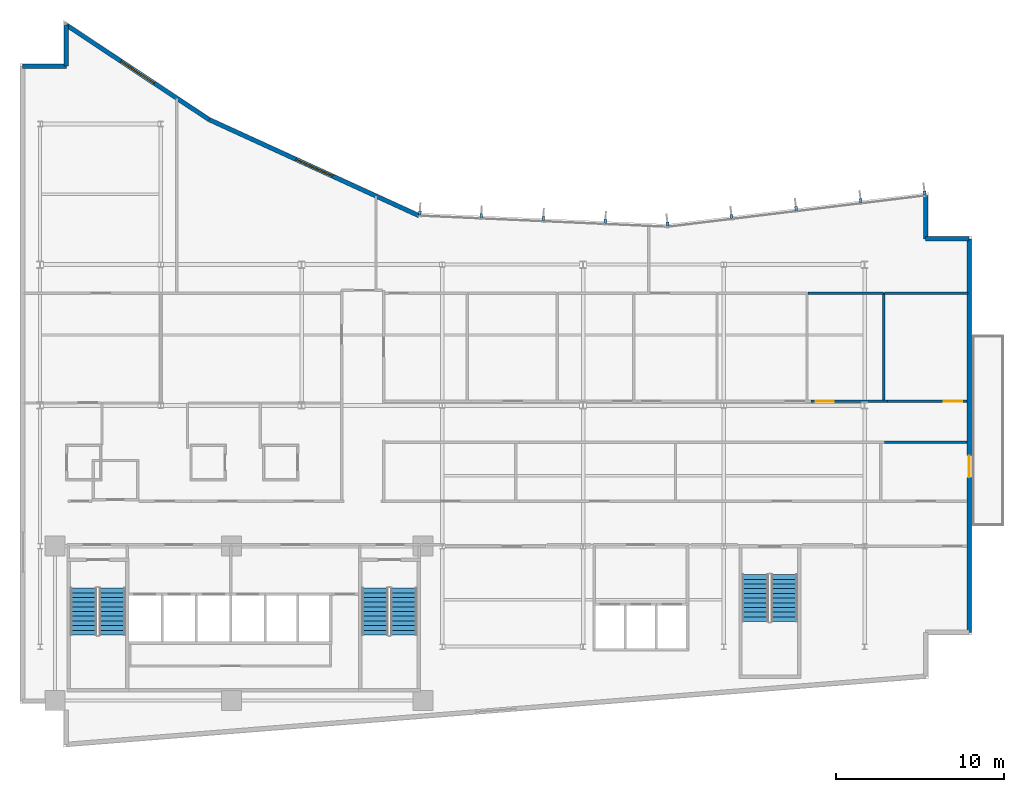
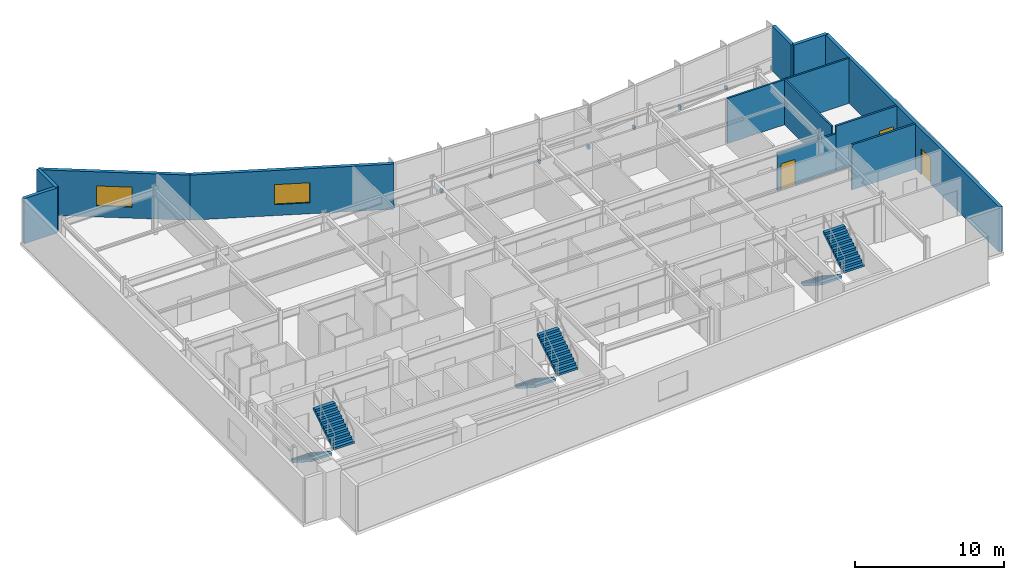
# One storey, part 13 of 18: 13 walls, 9 discrete accessories, 6 stair flights, 3 doors, 2 windows, 5 openings, 3 elements without a shape of their own.
"""IFC4 building model written with IfcOpenShell, lengths in metres."""

import ifcopenshell
import ifcopenshell.guid

model = None  # the IFC model being written
_history = None  # IfcOwnerHistory: only IFC2X3 demands one
_inside = {}  # id of a spatial element -> (the spatial element, [elements in it])
_under = {}  # id of a project, library or spatial element -> (it, [spatial elements below it])
_declared = {}  # id of a project -> (the project, [libraries it declares])
_typed = {}  # id of a type object -> (the type object, [elements of that type])
_made_of = {}  # id of a material, layer set ... -> (it, [elements and type objects made of it])


def new_model(schema):
    """Start an empty IFC model of exactly this schema.

    Asked for "IFC4X3", IfcOpenShell would pick the latest addendum, in which some entities
    have other attributes; the version numbers below select the first issue.
    IFC2X3 requires an IfcOwnerHistory on every rooted entity: one is made here for all.
    """
    global model, _history
    if schema == "IFC4X3":
        model = ifcopenshell.file(schema_version=(4, 3, 0, 0))
    else:
        model = ifcopenshell.file(schema=schema)
    _inside.clear()
    _under.clear()
    _declared.clear()
    _typed.clear()
    _made_of.clear()
    _history = None
    if model.schema == "IFC2X3":
        org = make("IfcOrganization", Name="unknown")
        user = make(
            "IfcPersonAndOrganization",
            ThePerson=make("IfcPerson", FamilyName="unknown"),
            TheOrganization=org,
        )
        app = make(
            "IfcApplication",
            ApplicationDeveloper=org,
            Version="unknown",
            ApplicationFullName="unknown",
            ApplicationIdentifier="unknown",
        )
        _history = make(
            "IfcOwnerHistory",
            OwningUser=user,
            OwningApplication=app,
            ChangeAction="ADDED",
            CreationDate=0,
        )
    return model


def make(cls, **values):
    """One entity of the class cls with the attributes given. An attribute that is None is left unset."""
    return model.create_entity(
        cls, **{name: value for name, value in values.items() if value is not None}
    )


def rooted(cls, **values):
    """An entity with a GlobalId (a new one), such as an element, a storey or a relation."""
    return make(cls, GlobalId=ifcopenshell.guid.new(), OwnerHistory=_history, **values)


def si_unit(unit_type, name, prefix=None):
    """IfcSIUnit, for example si_unit("LENGTHUNIT", "METRE", prefix="MILLI")."""
    return make("IfcSIUnit", UnitType=unit_type, Prefix=prefix, Name=name)


def assignment(units):
    """IfcUnitAssignment: the units of a project."""
    return None if units is None else make("IfcUnitAssignment", Units=units)


def point(xyz):
    """IfcCartesianPoint."""
    return None if xyz is None else make("IfcCartesianPoint", Coordinates=xyz)


def direction(xyz):
    """IfcDirection."""
    return None if xyz is None else make("IfcDirection", DirectionRatios=xyz)


def frame(location, z_axis=None, x_axis=None):
    """IfcAxis2Placement3D, a coordinate frame: its origin and axes. An axis left out is left unset."""
    return make(
        "IfcAxis2Placement3D",
        Location=point(location),
        Axis=direction(z_axis),
        RefDirection=direction(x_axis),
    )


def frame_2d(location, x_axis=None):
    """IfcAxis2Placement2D, a coordinate frame in the plane: its origin and x axis."""
    return make(
        "IfcAxis2Placement2D", Location=point(location), RefDirection=direction(x_axis)
    )


def origin():
    """The frame at (0, 0, 0) with its axes left unset."""
    return frame((0.0, 0.0, 0.0))


def origin_2d():
    """The frame at (0, 0) in the plane with its x axis left unset."""
    return frame_2d((0.0, 0.0))


def place(relative_to, where):
    """IfcLocalPlacement: puts the frame where relative to a parent placement (None: the world)."""
    return make(
        "IfcLocalPlacement", PlacementRelTo=relative_to, RelativePlacement=where
    )


def context(
    kind, dimensions, precision=None, world=None, true_north=None, identifier=None
):
    """IfcGeometricRepresentationContext, for example the 3D "Model" context."""
    return make(
        "IfcGeometricRepresentationContext",
        ContextIdentifier=identifier,
        ContextType=kind,
        CoordinateSpaceDimension=dimensions,
        Precision=precision,
        WorldCoordinateSystem=world,
        TrueNorth=true_north,
    )


def subcontext(parent, identifier, kind, view, scale=None):
    """IfcGeometricRepresentationSubContext, for example "Body" below "Model"."""
    return make(
        "IfcGeometricRepresentationSubContext",
        ContextIdentifier=identifier,
        ContextType=kind,
        ParentContext=parent,
        TargetScale=scale,
        TargetView=view,
    )


def project(units=None, contexts=None):
    """IfcProject with its units and contexts."""
    return rooted(
        "IfcProject",
        Name="project",
        RepresentationContexts=contexts,
        UnitsInContext=assignment(units),
    )


def spatial(cls, under=None, at=None, **own):
    """A site, building, storey or space (cls), placed at a placement, below another one or the project."""
    s = rooted(cls, ObjectPlacement=at, **own)
    if under is not None:
        _under.setdefault(under.id(), (under, []))[1].append(s)
    return s


def polyline(points):
    """IfcPolyline through the points."""
    return make("IfcPolyline", Points=[point(p) for p in points])


def profile(cls, at=None, kind="AREA", **sizes):
    """A parametric profile (cls). Its sizes go by their IFC names, for example OverallWidth=200.0."""
    return make(cls, ProfileType=kind, Position=at, **sizes)


def rectangle(**sizes):
    """IfcRectangleProfileDef."""
    return profile("IfcRectangleProfileDef", **sizes)


def outline(outer, holes=None, kind="AREA"):
    """IfcArbitraryClosedProfileDef: a profile drawn as a closed curve; with holes, ...WithVoids."""
    if holes is None:
        return make("IfcArbitraryClosedProfileDef", ProfileType=kind, OuterCurve=outer)
    return make(
        "IfcArbitraryProfileDefWithVoids",
        ProfileType=kind,
        OuterCurve=outer,
        InnerCurves=holes,
    )


def extrude(swept, where, along, depth):
    """IfcExtrudedAreaSolid: the profile swept, set in the frame where, extruded along a direction by depth."""
    return make(
        "IfcExtrudedAreaSolid",
        SweptArea=swept,
        Position=where,
        ExtrudedDirection=direction(along),
        Depth=depth,
    )


def shape(context_of_items, identifier, shape_type, items):
    """IfcShapeRepresentation: the items that make up one representation, for example the "Body"."""
    return make(
        "IfcShapeRepresentation",
        ContextOfItems=context_of_items,
        RepresentationIdentifier=identifier,
        RepresentationType=shape_type,
        Items=items,
    )


def material(Name=None, Category=None):
    """IfcMaterial."""
    return make("IfcMaterial", Name=Name, Category=Category)


def layer(
    of_material, thickness, ventilated=None, Name=None, Category=None, Priority=None
):
    """IfcMaterialLayer: one layer of a wall or slab, of a material (None: an air gap)."""
    return make(
        "IfcMaterialLayer",
        Material=of_material,
        LayerThickness=thickness,
        IsVentilated=ventilated,
        Name=Name,
        Category=Category,
        Priority=Priority,
    )


def layer_set(layers, Name=None):
    """IfcMaterialLayerSet."""
    return make("IfcMaterialLayerSet", MaterialLayers=layers, LayerSetName=Name)


def made_of(thing, what):
    """Note that an element or type object is made of a material, layer set ...; save() writes the relation."""
    if what is not None:
        _made_of.setdefault(what.id(), (what, []))[1].append(thing)
    return thing


def type_object(cls, material=None, **own):
    """A type object (cls), such as IfcWallType, which elements share."""
    return made_of(rooted(cls, **own), material)


def element(
    cls,
    number,
    at=None,
    inside=None,
    cuts=None,
    type_object=None,
    material=None,
    context=None,
    identifier="Body",
    shape_type=None,
    held_by="IfcProductDefinitionShape",
    body=None,
    shapes=None,
    **own,
):
    """One element of the class cls, such as IfcWall. Its Tag is "e" and its number.

    at: its placement. inside: the storey or other place that contains it. cuts: it is an
    opening in that element (IfcRelVoidsElement). A single representation is given by context,
    identifier, shape_type and body (its items); several are given by shapes. held_by: the class
    of the entity that holds the representations. save() writes the other relations.
    """
    e = rooted(cls, Tag="e%d" % number, ObjectPlacement=at, **own)
    if body is not None:
        shapes = [shape(context, identifier, shape_type, body)]
    if shapes is not None:
        e.Representation = make(held_by, Representations=shapes)
    if inside is not None:
        _inside.setdefault(inside.id(), (inside, []))[1].append(e)
    if cuts is not None:
        rooted(
            "IfcRelVoidsElement", RelatingBuildingElement=cuts, RelatedOpeningElement=e
        )
    if type_object is not None:
        _typed.setdefault(type_object.id(), (type_object, []))[1].append(e)
    return made_of(e, material)


def fill(opening, filler):
    """IfcRelFillsElement: the door or window that sits in an opening."""
    return rooted(
        "IfcRelFillsElement",
        RelatingOpeningElement=opening,
        RelatedBuildingElement=filler,
    )


def aggregate(whole, parts):
    """IfcRelAggregates: a whole, such as a stair, and the parts it consists of."""
    return rooted("IfcRelAggregates", RelatingObject=whole, RelatedObjects=parts)


def save(model, path):
    """Write the relations noted so far, then the file.

    IfcRelAggregates (storeys below a building ...), IfcRelContainedInSpatialStructure (elements
    in a storey), IfcRelDefinesByType, IfcRelAssociatesMaterial and IfcRelDeclares: one each for
    every whole, place, type object, material and project.
    """
    for whole, parts in _under.values():
        aggregate(whole, parts)
    for where, things in _inside.values():
        rooted(
            "IfcRelContainedInSpatialStructure",
            RelatedElements=things,
            RelatingStructure=where,
        )
    for kind, things in _typed.values():
        rooted("IfcRelDefinesByType", RelatedObjects=things, RelatingType=kind)
    for what, things in _made_of.values():
        rooted("IfcRelAssociatesMaterial", RelatedObjects=things, RelatingMaterial=what)
    for by, libraries in _declared.values():
        rooted("IfcRelDeclares", RelatingContext=by, RelatedDefinitions=libraries)
    model.write(path)


model = new_model("IFC4")

# Units and contexts
model_context = context("Model", 3, precision=1e-05, world=origin(), true_north=direction((0.0, 1.0)))
body_context = subcontext(model_context, "Body", "Model", "MODEL_VIEW")
ifc_project = project(units=[si_unit("LENGTHUNIT", "METRE"), si_unit("AREAUNIT", "SQUARE_METRE"), si_unit("VOLUMEUNIT", "CUBIC_METRE"), si_unit("PLANEANGLEUNIT", "RADIAN"), si_unit("MASSUNIT", "GRAM", prefix="KILO")], contexts=[model_context])

# Site, building, storey
site_placement = place(None, origin())
site = spatial("IfcSite", under=ifc_project, at=site_placement, CompositionType="ELEMENT")
building_placement = place(site_placement, origin())
building = spatial("IfcBuilding", under=site, at=building_placement, Name="Varnakote Quay Hospital", CompositionType="ELEMENT")
storey_placement = place(building_placement, frame((0.0, 0.0, 154.699951171875)))
storey = spatial("IfcBuildingStorey", under=building, at=storey_placement, Name="L38", CompositionType="ELEMENT", Elevation=154.699951171875)

# Wall, opening, door
ifc_material_1 = material(Name="Precast concrete N50 (f'c 50 MPa)", Category="concrete")
ifc_layer_1 = layer(ifc_material_1, 0.260009765625)
ifc_layer_set_1 = layer_set([ifc_layer_1], Name="Precast concrete N50 (f'c 50 MPa)")
wall_type_1 = type_object("IfcWallType", Name="WL-EXT-BRICK-260", PredefinedType="STANDARD", material=ifc_layer_set_1)
wall_1_placement = place(storey_placement, frame((56.639892578125, 6.860107421875, 0.0), z_axis=(0.0, 0.0, 1.0), x_axis=(0.0, 1.0, 0.0)))
wall_1 = element("IfcWall", 1, at=wall_1_placement, inside=storey, type_object=wall_type_1, Name="L38 Healing Terrace Portal Brick Wall", PredefinedType="STANDARD", context=body_context, shape_type="SweptSolid", body=[
    extrude(rectangle(XDim=23.47998046875, YDim=0.260009765625, at=frame_2d((11.739990234375, 0.0))), origin(), (0.0, 0.0, 1.0), 3.7099609375),
])
opening_1_placement = place(wall_1_placement, frame((9.239990234375, 0.0, 0.0)))
opening_1 = element("IfcOpeningElement", 2, at=opening_1_placement, cuts=wall_1, Name="Opening DT-L38", PredefinedType="OPENING", context=body_context, shape_type="SweptSolid", body=[
    extrude(rectangle(XDim=1.300048828125, YDim=2.14990234375, at=frame_2d((0.64990234375, 1.074951171875))), frame((0.0, 0.139892578125, 0.0), z_axis=(0.0, -1.0, 0.0), x_axis=(1.0, 0.0, 0.0)), (0.0, 0.0, 1.0), 0.280029296875),
])
ifc_material_2 = material(Name="Anodised aluminium glazed terrace door", Category="aluminium")
door_type_1 = type_object("IfcDoorType", Name="DR-EXT-TERR-1300x2150", OperationType="NOTDEFINED", PredefinedType="DOOR", material=ifc_material_2)
door_1_placement = place(opening_1_placement, origin())
door_1 = element("IfcDoor", 3, at=door_1_placement, inside=storey, type_object=door_type_1, Name="L38 Waterfront Healing Terrace Door", OperationType="SINGLE_SWING_LEFT", OverallHeight=2.14990234375, OverallWidth=1.300048828125, PredefinedType="DOOR", context=body_context, shape_type="SweptSolid", body=[
    extrude(rectangle(XDim=1.300048828125, YDim=2.14990234375, at=frame_2d((0.64990234375, 1.074951171875))), frame((0.0, 0.02490234375, 0.0), z_axis=(0.0, -1.0, 0.0), x_axis=(1.0, 0.0, 0.0)), (0.0, 0.0, 1.0), 0.050048828125),
])
fill(opening_1, door_1)

# Walls
wall_2_placement = place(storey_placement, frame((56.639892578125, 30.340087890625, 0.0), z_axis=(0.0, 0.0, 1.0), x_axis=(-1.0, 0.0, 0.0)))
element("IfcWall", 4, at=wall_2_placement, inside=storey, type_object=wall_type_1, Name="L38 Brick-Faced Precast Exterior Wall", PredefinedType="STANDARD", context=body_context, shape_type="SweptSolid", body=[
    extrude(rectangle(XDim=2.599853515625, YDim=0.260009765625, at=frame_2d((1.2998046875, 0.0))), origin(), (0.0, 0.0, 1.0), 3.7099609375),
])
wall_3_placement = place(storey_placement, frame((54.0400390625, 30.340087890625, 0.0), z_axis=(0.0, 0.0, 1.0), x_axis=(0.0, 1.0, 0.0)))
element("IfcWall", 5, at=wall_3_placement, inside=storey, type_object=wall_type_1, Name="L38 Brick-Faced Precast Exterior Wall", PredefinedType="STANDARD", context=body_context, shape_type="SweptSolid", body=[
    extrude(rectangle(XDim=2.579345703125, YDim=0.260009765625, at=frame_2d((1.28955078125, 0.0))), origin(), (0.0, 0.0, 1.0), 3.7099609375),
])

# Wall, opening, window
wall_4_placement = place(storey_placement, frame((23.817626953125, 31.715576171875, 0.0), z_axis=(0.0, 0.0, 1.0), x_axis=(-0.909209527513, 0.416338846471, 0.0)))
wall_4 = element("IfcWall", 6, at=wall_4_placement, inside=storey, type_object=wall_type_1, Name="L38 Brick-Faced Precast Exterior Wall", PredefinedType="STANDARD", context=body_context, shape_type="SweptSolid", body=[
    extrude(rectangle(XDim=13.787353515625, YDim=0.260009765625, at=frame_2d((6.8935546875, 0.0))), origin(), (0.0, 0.0, 1.0), 3.7099609375),
])
opening_2_placement = place(wall_4_placement, frame((5.693603515625, 0.0, 0.89990234375)))
opening_2 = element("IfcOpeningElement", 7, at=opening_2_placement, cuts=wall_4, Name="Opening WN-0163", PredefinedType="OPENING", context=body_context, shape_type="SweptSolid", body=[
    extrude(rectangle(XDim=2.39990234375, YDim=1.64990234375, at=frame_2d((1.199951171875, 0.824951171875))), frame((0.0, 0.139892578125, 0.0), z_axis=(0.0, -1.0, 0.0), x_axis=(1.0, 0.0, 0.0)), (0.0, 0.0, 1.0), 0.280029296875),
])
ifc_material_3 = material(Name="Double-glazed low-E solar glass", Category="glass")
window_type = type_object("IfcWindowType", Name="WIN-CLIN-2400x1650", PartitioningType="SINGLE_PANEL", PredefinedType="WINDOW", material=ifc_material_3)
window_1_placement = place(opening_2_placement, origin())
window_1 = element("IfcWindow", 8, at=window_1_placement, inside=storey, type_object=window_type, Name="L38 Solar-Control Clinical Window", OverallHeight=1.64990234375, OverallWidth=2.39990234375, PartitioningType="SINGLE_PANEL", PredefinedType="WINDOW", context=body_context, shape_type="SweptSolid", body=[
    extrude(rectangle(XDim=2.39990234375, YDim=1.64990234375, at=frame_2d((1.199951171875, 0.824951171875))), frame((0.0, 0.030029296875, 0.0), z_axis=(0.0, -1.0, 0.0), x_axis=(1.0, 0.0, 0.0)), (0.0, 0.0, 1.0), 0.06005859375),
])
fill(opening_2, window_1)

wall_5_placement = place(storey_placement, frame((11.281982421875, 37.455810546875, 0.0), z_axis=(0.0, 0.0, 1.0), x_axis=(-0.833630474253, 0.552322580017, 0.0)))
wall_5 = element("IfcWall", 9, at=wall_5_placement, inside=storey, type_object=wall_type_1, Name="L38 Brick-Faced Precast Exterior Wall", PredefinedType="STANDARD", context=body_context, shape_type="SweptSolid", body=[
    extrude(rectangle(XDim=10.22265625, YDim=0.260009765625, at=frame_2d((5.111328125, 0.0))), origin(), (0.0, 0.0, 1.0), 3.7099609375),
])
opening_3_placement = place(wall_5_placement, frame((3.911376953125, 0.0, 0.89990234375)))
opening_3 = element("IfcOpeningElement", 10, at=opening_3_placement, cuts=wall_5, Name="Opening WN-0164", PredefinedType="OPENING", context=body_context, shape_type="SweptSolid", body=[
    extrude(rectangle(XDim=2.39990234375, YDim=1.64990234375, at=frame_2d((1.199951171875, 0.824951171875))), frame((0.0, 0.139892578125, 0.0), z_axis=(0.0, -1.0, 0.0), x_axis=(1.0, 0.0, 0.0)), (0.0, 0.0, 1.0), 0.280029296875),
])
window_2_placement = place(opening_3_placement, origin())
window_2 = element("IfcWindow", 11, at=window_2_placement, inside=storey, type_object=window_type, Name="L38 Solar-Control Clinical Window", OverallHeight=1.64990234375, OverallWidth=2.39990234375, PartitioningType="SINGLE_PANEL", PredefinedType="WINDOW", context=body_context, shape_type="SweptSolid", body=[
    extrude(rectangle(XDim=2.39990234375, YDim=1.64990234375, at=frame_2d((1.199951171875, 0.824951171875))), frame((0.0, 0.030029296875, 0.0), z_axis=(0.0, -1.0, 0.0), x_axis=(1.0, 0.0, 0.0)), (0.0, 0.0, 1.0), 0.06005859375),
])
fill(opening_3, window_2)

# Walls
wall_6_placement = place(storey_placement, frame((2.760009765625, 43.10205078125, 0.0), z_axis=(0.0, 0.0, 1.0), x_axis=(0.0, -1.0, 0.0)))
element("IfcWall", 12, at=wall_6_placement, inside=storey, type_object=wall_type_1, Name="L38 Brick-Faced Precast Exterior Wall", PredefinedType="STANDARD", context=body_context, shape_type="SweptSolid", body=[
    extrude(rectangle(XDim=2.462158203125, YDim=0.260009765625, at=frame_2d((1.23095703125, 0.0))), origin(), (0.0, 0.0, 1.0), 3.7099609375),
])
wall_7_placement = place(storey_placement, frame((2.760009765625, 40.639892578125, 0.0), z_axis=(0.0, 0.0, 1.0), x_axis=(-1.0, 0.0, 0.0)))
element("IfcWall", 13, at=wall_7_placement, inside=storey, type_object=wall_type_1, Name="L38 Brick-Faced Precast Exterior Wall", PredefinedType="STANDARD", context=body_context, shape_type="SweptSolid", body=[
    extrude(rectangle(XDim=2.60009765625, YDim=0.260009765625, at=frame_2d((1.300048828125, 0.0))), origin(), (0.0, 0.0, 1.0), 3.7099609375),
])
ifc_material_4 = material(Name="Smoke-proof clinical partition", Category="gypsum")
ifc_layer_2 = layer(ifc_material_4, 0.135009765625)
ifc_layer_set_2 = layer_set([ifc_layer_2], Name="Smoke-proof clinical partition")
wall_type_2 = type_object("IfcWallType", Name="WL-SMOKE-135", PredefinedType="PARTITIONING", material=ifc_layer_set_2)
wall_8_placement = place(storey_placement, frame((51.5400390625, 20.715087890625, 0.0), z_axis=(0.0, 0.0, 1.0), x_axis=(0.0, 1.0, 0.0)))
element("IfcWall", 14, at=wall_8_placement, inside=storey, type_object=wall_type_2, Name="L38 Clinical Interior Partition", PredefinedType="PARTITIONING", context=body_context, shape_type="SweptSolid", body=[
    extrude(rectangle(XDim=6.385009765625, YDim=0.135009765625, at=frame_2d((3.1923828125, 0.0))), origin(), (0.0, 0.0, 1.0), 3.7099609375),
])
wall_9_placement = place(storey_placement, frame((51.5400390625, 27.10009765625, 0.0), z_axis=(0.0, 0.0, 1.0), x_axis=(-1.0, 0.0, 0.0)))
element("IfcWall", 15, at=wall_9_placement, inside=storey, type_object=wall_type_2, Name="L38 Clinical Interior Partition", PredefinedType="PARTITIONING", context=body_context, shape_type="SweptSolid", body=[
    extrude(rectangle(XDim=4.512451171875, YDim=0.135009765625, at=frame_2d((2.25634765625, 0.0))), origin(), (0.0, 0.0, 1.0), 3.7099609375),
])
wall_10_placement = place(storey_placement, frame((56.56005859375, 27.10009765625, 0.0), z_axis=(0.0, 0.0, 1.0), x_axis=(-1.0, 0.0, 0.0)))
element("IfcWall", 16, at=wall_10_placement, inside=storey, type_object=wall_type_2, Name="L38 Clinical Interior Partition", PredefinedType="PARTITIONING", context=body_context, shape_type="SweptSolid", body=[
    extrude(rectangle(XDim=4.962646484375, YDim=0.135009765625, at=frame_2d((2.4814453125, 0.0))), origin(), (0.0, 0.0, 1.0), 3.7099609375),
])
ifc_material_5 = material(Name="Fire-rated clinical gypsum partition", Category="gypsum")
ifc_layer_3 = layer(ifc_material_5, 0.14990234375)
ifc_layer_set_3 = layer_set([ifc_layer_3], Name="Fire-rated clinical gypsum partition")
wall_type_3 = type_object("IfcWallType", Name="WL-WARD-150", PredefinedType="PARTITIONING", material=ifc_layer_set_3)
wall_11_placement = place(storey_placement, frame((51.587890625, 18.199951171875, 0.0), z_axis=(0.0, 0.0, 1.0), x_axis=(1.0, 0.0, 0.0)))
element("IfcWall", 17, at=wall_11_placement, inside=storey, type_object=wall_type_3, Name="L38 Clinical Interior Partition", PredefinedType="PARTITIONING", context=body_context, shape_type="SweptSolid", body=[
    extrude(rectangle(XDim=4.93212890625, YDim=0.14990234375, at=frame_2d((2.466064453125, 0.0))), origin(), (0.0, 0.0, 1.0), 3.7099609375),
])

# Wall, opening, door
wall_12_placement = place(storey_placement, frame((51.76611328125, 20.64990234375, 0.0), z_axis=(0.0, 0.0, 1.0), x_axis=(-1.0, 0.0, 0.0)))
wall_12 = element("IfcWall", 18, at=wall_12_placement, inside=storey, type_object=wall_type_3, Name="L38 Clinical Interior Partition", PredefinedType="PARTITIONING", context=body_context, shape_type="SweptSolid", body=[
    extrude(rectangle(XDim=4.568115234375, YDim=0.14990234375, at=frame_2d((2.2841796875, 0.0))), origin(), (0.0, 0.0, 1.0), 3.0830078125),
])
opening_4_placement = place(wall_12_placement, frame((3.19140625, 0.0, 0.0)))
opening_4 = element("IfcOpeningElement", 19, at=opening_4_placement, cuts=wall_12, Name="Opening D-L38-MD13", PredefinedType="OPENING", context=body_context, shape_type="SweptSolid", body=[
    extrude(rectangle(XDim=1.10009765625, YDim=2.10009765625, at=frame_2d((0.550048828125, 1.050048828125))), frame((0.0, 0.0849609375, 0.0), z_axis=(0.0, -1.0, 0.0), x_axis=(1.0, 0.0, 0.0)), (0.0, 0.0, 1.0), 0.169921875),
])
ifc_material_6 = material(Name="Acoustic timber clinical consult door", Category="wood")
door_type_2 = type_object("IfcDoorType", Name="DR-CLIN-FD30S-1100x2100", OperationType="NOTDEFINED", PredefinedType="DOOR", material=ifc_material_6)
door_2_placement = place(opening_4_placement, origin())
door_2 = element("IfcDoor", 20, at=door_2_placement, inside=storey, type_object=door_type_2, Name="L38 Ward Clinical Consultation Office Door", OperationType="SINGLE_SWING_RIGHT", OverallHeight=2.10009765625, OverallWidth=1.10009765625, PredefinedType="DOOR", context=body_context, shape_type="SweptSolid", body=[
    extrude(rectangle(XDim=1.10009765625, YDim=2.10009765625, at=frame_2d((0.550048828125, 1.050048828125))), frame((0.0, 0.02490234375, 0.0), z_axis=(0.0, -1.0, 0.0), x_axis=(1.0, 0.0, 0.0)), (0.0, 0.0, 1.0), 0.050048828125),
])
fill(opening_4, door_2)

wall_13_placement = place(storey_placement, frame((56.52001953125, 20.64990234375, 0.0), z_axis=(0.0, 0.0, 1.0), x_axis=(-1.0, 0.0, 0.0)))
wall_13 = element("IfcWall", 21, at=wall_13_placement, inside=storey, type_object=wall_type_3, Name="L38 Clinical Interior Partition", PredefinedType="PARTITIONING", context=body_context, shape_type="SweptSolid", body=[
    extrude(rectangle(XDim=4.751953125, YDim=0.14990234375, at=frame_2d((2.3759765625, 0.0))), origin(), (0.0, 0.0, 1.0), 3.7099609375),
])
opening_5_placement = place(wall_13_placement, frame((0.28125, 0.0, 0.0)))
opening_5 = element("IfcOpeningElement", 22, at=opening_5_placement, cuts=wall_13, Name="Opening D-L38-DLNG", PredefinedType="OPENING", context=body_context, shape_type="SweptSolid", body=[
    extrude(rectangle(XDim=1.10009765625, YDim=2.10009765625, at=frame_2d((0.550048828125, 1.050048828125))), frame((0.0, 0.0849609375, 0.0), z_axis=(0.0, -1.0, 0.0), x_axis=(1.0, 0.0, 0.0)), (0.0, 0.0, 1.0), 0.169921875),
])
door_3_placement = place(opening_5_placement, origin())
door_3 = element("IfcDoor", 23, at=door_3_placement, inside=storey, type_object=door_type_2, Name="L38 Waterfront Patient & Family Dayroom Door", OperationType="SINGLE_SWING_LEFT", OverallHeight=2.10009765625, OverallWidth=1.10009765625, PredefinedType="DOOR", context=body_context, shape_type="SweptSolid", body=[
    extrude(rectangle(XDim=1.10009765625, YDim=2.10009765625, at=frame_2d((0.550048828125, 1.050048828125))), frame((0.0, 0.02490234375, 0.0), z_axis=(0.0, -1.0, 0.0), x_axis=(1.0, 0.0, 0.0)), (0.0, 0.0, 1.0), 0.050048828125),
])
fill(opening_5, door_3)

# Stair, stair flights
ifc_material_7 = material(Name="Concrete N40 (f'c 40 MPa)", Category="concrete")
stair_type = type_object("IfcStairType", Name="STR-CORE-1580", PredefinedType="HALF_TURN_STAIR", material=ifc_material_7)
stair_1_placement = place(storey_placement, origin())
stair_1 = element("IfcStair", 24, at=stair_1_placement, inside=storey, type_object=stair_type, Name="L38 Fire-Isolated Exit Stair ST-01", PredefinedType="HALF_TURN_STAIR")
ifc_material_8 = material(Name="Concrete N40 (f'c 40 MPa)", Category="concrete")
ifc_layer_4 = layer(ifc_material_8, 0.159912109375)
ifc_layer_set_4 = layer_set([ifc_layer_4], Name="Concrete N40 (f'c 40 MPa)")
stair_flight_type = type_object("IfcStairFlightType", Name="FLT-CORE-1580", PredefinedType="STRAIGHT", material=ifc_layer_set_4)
stair_flight_1_placement = place(storey_placement, frame((3.7900390625, 9.5, 0.0), z_axis=(0.0, 0.0, 1.0), x_axis=(0.0, -1.0, 0.0)))
stair_flight_1 = element("IfcStairFlight", 25, at=stair_flight_1_placement, type_object=stair_flight_type, Name="ST-01 flight 1", NumberOfRisers=11, NumberOfTreads=10, PredefinedType="STRAIGHT", RiserHeight=0.179545455, TreadLength=0.28, context=body_context, shape_type="SweptSolid", body=[
    extrude(outline(polyline([(0.0, 0.0), (0.0, 0.179443359375), (0.280029296875, 0.179443359375), (0.280029296875, 0.359130859375), (0.56005859375, 0.359130859375), (0.56005859375, 0.53857421875), (0.840087890625, 0.53857421875), (0.840087890625, 0.71826171875), (1.1201171875, 0.71826171875), (1.1201171875, 0.897705078125), (1.39990234375, 0.897705078125), (1.39990234375, 1.077392578125), (1.679931640625, 1.077392578125), (1.679931640625, 1.2568359375), (1.9599609375, 1.2568359375), (1.9599609375, 1.436279296875), (2.239990234375, 1.436279296875), (2.239990234375, 1.615966796875), (2.52001953125, 1.615966796875), (2.52001953125, 1.79541015625), (2.800048828125, 1.79541015625), (2.800048828125, 1.97509765625), (2.800048828125, 1.60546875), (0.296142578125, 0.0), (0.0, 0.0)])), frame((0.0, 0.7900390625, 0.0), z_axis=(0.0, -1.0, 0.0), x_axis=(1.0, 0.0, 0.0)), (0.0, 0.0, 1.0), 1.580078125),
])
stair_flight_2_placement = place(storey_placement, frame((5.510009765625, 6.699951171875, 1.97509765625), z_axis=(0.0, 0.0, 1.0), x_axis=(0.0, 1.0, 0.0)))
stair_flight_2 = element("IfcStairFlight", 26, at=stair_flight_2_placement, type_object=stair_flight_type, Name="ST-01 flight 2", NumberOfRisers=11, NumberOfTreads=10, PredefinedType="STRAIGHT", RiserHeight=0.179545455, TreadLength=0.28, context=body_context, shape_type="SweptSolid", body=[
    extrude(outline(polyline([(0.0, 0.0), (0.0, 0.179443359375), (0.280029296875, 0.179443359375), (0.280029296875, 0.359130859375), (0.56005859375, 0.359130859375), (0.56005859375, 0.53857421875), (0.840087890625, 0.53857421875), (0.840087890625, 0.71826171875), (1.1201171875, 0.71826171875), (1.1201171875, 0.897705078125), (1.39990234375, 0.897705078125), (1.39990234375, 1.077392578125), (1.679931640625, 1.077392578125), (1.679931640625, 1.2568359375), (1.9599609375, 1.2568359375), (1.9599609375, 1.436279296875), (2.239990234375, 1.436279296875), (2.239990234375, 1.615966796875), (2.52001953125, 1.615966796875), (2.52001953125, 1.79541015625), (2.800048828125, 1.79541015625), (2.800048828125, 1.97509765625), (2.800048828125, 1.60546875), (0.296142578125, 0.0), (0.0, 0.0)])), frame((0.0, 0.7900390625, 0.0), z_axis=(0.0, -1.0, 0.0), x_axis=(1.0, 0.0, 0.0)), (0.0, 0.0, 1.0), 1.580078125),
])
aggregate(stair_1, [stair_flight_1, stair_flight_2])

stair_2_placement = place(storey_placement, origin())
stair_2 = element("IfcStair", 27, at=stair_2_placement, inside=storey, type_object=stair_type, Name="L38 Fire-Isolated Exit Stair ST-02", PredefinedType="HALF_TURN_STAIR")
stair_flight_3_placement = place(storey_placement, frame((21.18994140625, 9.5, 0.0), z_axis=(0.0, 0.0, 1.0), x_axis=(0.0, -1.0, 0.0)))
stair_flight_3 = element("IfcStairFlight", 28, at=stair_flight_3_placement, type_object=stair_flight_type, Name="ST-02 flight 1", NumberOfRisers=11, NumberOfTreads=10, PredefinedType="STRAIGHT", RiserHeight=0.179545455, TreadLength=0.28, context=body_context, shape_type="SweptSolid", body=[
    extrude(outline(polyline([(0.0, 0.0), (0.0, 0.179443359375), (0.280029296875, 0.179443359375), (0.280029296875, 0.359130859375), (0.56005859375, 0.359130859375), (0.56005859375, 0.53857421875), (0.840087890625, 0.53857421875), (0.840087890625, 0.71826171875), (1.1201171875, 0.71826171875), (1.1201171875, 0.897705078125), (1.39990234375, 0.897705078125), (1.39990234375, 1.077392578125), (1.679931640625, 1.077392578125), (1.679931640625, 1.2568359375), (1.9599609375, 1.2568359375), (1.9599609375, 1.436279296875), (2.239990234375, 1.436279296875), (2.239990234375, 1.615966796875), (2.52001953125, 1.615966796875), (2.52001953125, 1.79541015625), (2.800048828125, 1.79541015625), (2.800048828125, 1.97509765625), (2.800048828125, 1.60546875), (0.296142578125, 0.0), (0.0, 0.0)])), frame((0.0, 0.7900390625, 0.0), z_axis=(0.0, -1.0, 0.0), x_axis=(1.0, 0.0, 0.0)), (0.0, 0.0, 1.0), 1.580078125),
])
stair_flight_4_placement = place(storey_placement, frame((22.909912109375, 6.699951171875, 1.97509765625), z_axis=(0.0, 0.0, 1.0), x_axis=(0.0, 1.0, 0.0)))
stair_flight_4 = element("IfcStairFlight", 29, at=stair_flight_4_placement, type_object=stair_flight_type, Name="ST-02 flight 2", NumberOfRisers=11, NumberOfTreads=10, PredefinedType="STRAIGHT", RiserHeight=0.179545455, TreadLength=0.28, context=body_context, shape_type="SweptSolid", body=[
    extrude(outline(polyline([(0.0, 0.0), (0.0, 0.179443359375), (0.280029296875, 0.179443359375), (0.280029296875, 0.359130859375), (0.56005859375, 0.359130859375), (0.56005859375, 0.53857421875), (0.840087890625, 0.53857421875), (0.840087890625, 0.71826171875), (1.1201171875, 0.71826171875), (1.1201171875, 0.897705078125), (1.39990234375, 0.897705078125), (1.39990234375, 1.077392578125), (1.679931640625, 1.077392578125), (1.679931640625, 1.2568359375), (1.9599609375, 1.2568359375), (1.9599609375, 1.436279296875), (2.239990234375, 1.436279296875), (2.239990234375, 1.615966796875), (2.52001953125, 1.615966796875), (2.52001953125, 1.79541015625), (2.800048828125, 1.79541015625), (2.800048828125, 1.97509765625), (2.800048828125, 1.60546875), (0.296142578125, 0.0), (0.0, 0.0)])), frame((0.0, 0.7900390625, 0.0), z_axis=(0.0, -1.0, 0.0), x_axis=(1.0, 0.0, 0.0)), (0.0, 0.0, 1.0), 1.580078125),
])
aggregate(stair_2, [stair_flight_3, stair_flight_4])

stair_3_placement = place(storey_placement, origin())
stair_3 = element("IfcStair", 30, at=stair_3_placement, inside=storey, type_object=stair_type, Name="L38 Fire-Isolated Exit Stair ST-03", PredefinedType="HALF_TURN_STAIR")
stair_flight_5_placement = place(storey_placement, frame((43.889892578125, 10.300048828125, 0.0), z_axis=(0.0, 0.0, 1.0), x_axis=(0.0, -1.0, 0.0)))
stair_flight_5 = element("IfcStairFlight", 31, at=stair_flight_5_placement, type_object=stair_flight_type, Name="ST-03 flight 1", NumberOfRisers=11, NumberOfTreads=10, PredefinedType="STRAIGHT", RiserHeight=0.179545455, TreadLength=0.28, context=body_context, shape_type="SweptSolid", body=[
    extrude(outline(polyline([(0.0, 0.0), (0.0, 0.179443359375), (0.280029296875, 0.179443359375), (0.280029296875, 0.359130859375), (0.56005859375, 0.359130859375), (0.56005859375, 0.53857421875), (0.840087890625, 0.53857421875), (0.840087890625, 0.71826171875), (1.1201171875, 0.71826171875), (1.1201171875, 0.897705078125), (1.39990234375, 0.897705078125), (1.39990234375, 1.077392578125), (1.679931640625, 1.077392578125), (1.679931640625, 1.2568359375), (1.9599609375, 1.2568359375), (1.9599609375, 1.436279296875), (2.239990234375, 1.436279296875), (2.239990234375, 1.615966796875), (2.52001953125, 1.615966796875), (2.52001953125, 1.79541015625), (2.800048828125, 1.79541015625), (2.800048828125, 1.97509765625), (2.800048828125, 1.60546875), (0.296142578125, 0.0), (0.0, 0.0)])), frame((0.0, 0.7900390625, 0.0), z_axis=(0.0, -1.0, 0.0), x_axis=(1.0, 0.0, 0.0)), (0.0, 0.0, 1.0), 1.580078125),
])
stair_flight_6_placement = place(storey_placement, frame((45.610107421875, 7.5, 1.97509765625), z_axis=(0.0, 0.0, 1.0), x_axis=(0.0, 1.0, 0.0)))
stair_flight_6 = element("IfcStairFlight", 32, at=stair_flight_6_placement, type_object=stair_flight_type, Name="ST-03 flight 2", NumberOfRisers=11, NumberOfTreads=10, PredefinedType="STRAIGHT", RiserHeight=0.179545455, TreadLength=0.28, context=body_context, shape_type="SweptSolid", body=[
    extrude(outline(polyline([(0.0, 0.0), (0.0, 0.179443359375), (0.280029296875, 0.179443359375), (0.280029296875, 0.359130859375), (0.56005859375, 0.359130859375), (0.56005859375, 0.53857421875), (0.840087890625, 0.53857421875), (0.840087890625, 0.71826171875), (1.1201171875, 0.71826171875), (1.1201171875, 0.897705078125), (1.39990234375, 0.897705078125), (1.39990234375, 1.077392578125), (1.679931640625, 1.077392578125), (1.679931640625, 1.2568359375), (1.9599609375, 1.2568359375), (1.9599609375, 1.436279296875), (2.239990234375, 1.436279296875), (2.239990234375, 1.615966796875), (2.52001953125, 1.615966796875), (2.52001953125, 1.79541015625), (2.800048828125, 1.79541015625), (2.800048828125, 1.97509765625), (2.800048828125, 1.60546875), (0.296142578125, 0.0), (0.0, 0.0)])), frame((0.0, 0.7900390625, 0.0), z_axis=(0.0, -1.0, 0.0), x_axis=(1.0, 0.0, 0.0)), (0.0, 0.0, 1.0), 1.580078125),
])
aggregate(stair_3, [stair_flight_5, stair_flight_6])

# Discrete accessories
ifc_material_9 = material(Name="Anodised aluminium 6063-T6 Bronze", Category="aluminium")
discrete_accessory_type = type_object("IfcDiscreteAccessoryType", Name="ACC-FIN-BRACKET-180", PredefinedType="BRACKET", material=ifc_material_9)
for number, where, z_axis, x_axis, name in (
    (33, (53.982421875, 33.083740234375, 0.0), (0.0, 0.0, 1.0), (-0.992736358975, -0.120310105847, 0.0), "L38 Curtain Wall Fin Fixing Bracket"),
    (34, (50.1669921875, 32.62109375, 0.0), (0.0, 0.0, 1.0), (-0.992736358975, -0.120310105847, 0.0), "L38 Curtain Wall Fin Fixing Bracket"),
    (35, (46.314697265625, 32.154296875, 0.0), (0.0, 0.0, 1.0), (-0.992736358975, -0.120310105847, 0.0), "L38 Curtain Wall Fin Fixing Bracket"),
    (36, (42.462158203125, 31.687255859375, 0.0), (0.0, 0.0, 1.0), (-0.992736358975, -0.120310105847, 0.0), "L38 Curtain Wall Fin Fixing Bracket"),
    (37, (38.64697265625, 31.224853515625, 0.0), (0.0, 0.0, 1.0), (-0.992736358975, -0.120310105847, 0.0), "L38 Curtain Wall Fin Fixing Bracket"),
    (38, (34.9345703125, 31.387451171875, 0.0), (0.0, 0.0, 1.0), (-0.998994184858, 0.044839922168, 0.0), "L38 Curtain Wall Fin Fixing Bracket"),
    (39, (31.2314453125, 31.553466796875, 0.0), (0.0, 0.0, 1.0), (-0.998994184858, 0.044839922168, 0.0), "L38 Curtain Wall Fin Fixing Bracket"),
    (40, (27.5283203125, 31.719482421875, 0.0), (0.0, 0.0, 1.0), (-0.998994184858, 0.044839922168, 0.0), "L38 Curtain Wall Fin Fixing Bracket"),
    (41, (23.86279296875, 31.8837890625, 0.0), (0.0, 0.0, 1.0), (-0.998994184858, 0.044839922168, 0.0), "L38 Curtain Wall Fin Fixing Bracket"),
):
    element("IfcDiscreteAccessory", number, at=place(storey_placement, frame(where, z_axis=z_axis, x_axis=x_axis)), inside=storey, type_object=discrete_accessory_type, Name=name, PredefinedType="BRACKET", context=body_context, shape_type="SweptSolid", body=[
        extrude(rectangle(XDim=0.159912109375, YDim=0.239990234375, at=origin_2d()), origin(), (0.0, 0.0, 1.0), 0.280029296875),
    ])

save(model, "model.ifc")
